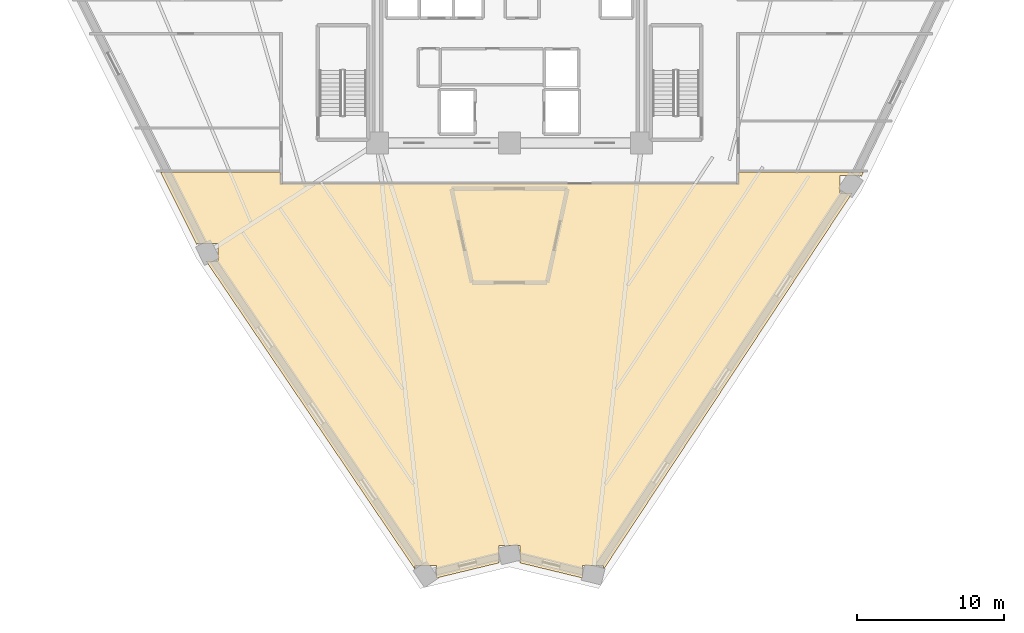
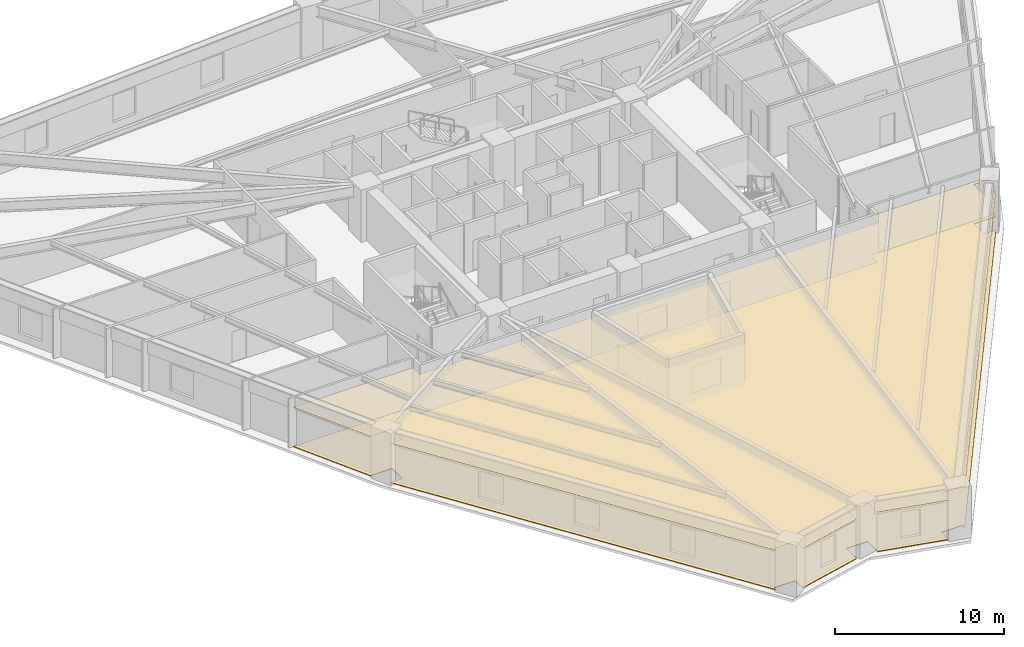
# One storey, part 9 of 10: 2 coverings.
"""IFC4 building model written with IfcOpenShell, lengths in metres."""

import ifcopenshell
import ifcopenshell.guid

model = None  # the IFC model being written
_history = None  # IfcOwnerHistory: only IFC2X3 demands one
_inside = {}  # id of a spatial element -> (the spatial element, [elements in it])
_under = {}  # id of a project, library or spatial element -> (it, [spatial elements below it])
_declared = {}  # id of a project -> (the project, [libraries it declares])
_typed = {}  # id of a type object -> (the type object, [elements of that type])
_made_of = {}  # id of a material, layer set ... -> (it, [elements and type objects made of it])


def new_model(schema):
    """Start an empty IFC model of exactly this schema.

    Asked for "IFC4X3", IfcOpenShell would pick the latest addendum, in which some entities
    have other attributes; the version numbers below select the first issue.
    IFC2X3 requires an IfcOwnerHistory on every rooted entity: one is made here for all.
    """
    global model, _history
    if schema == "IFC4X3":
        model = ifcopenshell.file(schema_version=(4, 3, 0, 0))
    else:
        model = ifcopenshell.file(schema=schema)
    _inside.clear()
    _under.clear()
    _declared.clear()
    _typed.clear()
    _made_of.clear()
    _history = None
    if model.schema == "IFC2X3":
        org = make("IfcOrganization", Name="unknown")
        user = make(
            "IfcPersonAndOrganization",
            ThePerson=make("IfcPerson", FamilyName="unknown"),
            TheOrganization=org,
        )
        app = make(
            "IfcApplication",
            ApplicationDeveloper=org,
            Version="unknown",
            ApplicationFullName="unknown",
            ApplicationIdentifier="unknown",
        )
        _history = make(
            "IfcOwnerHistory",
            OwningUser=user,
            OwningApplication=app,
            ChangeAction="ADDED",
            CreationDate=0,
        )
    return model


def make(cls, **values):
    """One entity of the class cls with the attributes given. An attribute that is None is left unset."""
    return model.create_entity(
        cls, **{name: value for name, value in values.items() if value is not None}
    )


def rooted(cls, **values):
    """An entity with a GlobalId (a new one), such as an element, a storey or a relation."""
    return make(cls, GlobalId=ifcopenshell.guid.new(), OwnerHistory=_history, **values)


def si_unit(unit_type, name, prefix=None):
    """IfcSIUnit, for example si_unit("LENGTHUNIT", "METRE", prefix="MILLI")."""
    return make("IfcSIUnit", UnitType=unit_type, Prefix=prefix, Name=name)


def assignment(units):
    """IfcUnitAssignment: the units of a project."""
    return None if units is None else make("IfcUnitAssignment", Units=units)


def point(xyz):
    """IfcCartesianPoint."""
    return None if xyz is None else make("IfcCartesianPoint", Coordinates=xyz)


def direction(xyz):
    """IfcDirection."""
    return None if xyz is None else make("IfcDirection", DirectionRatios=xyz)


def frame(location, z_axis=None, x_axis=None):
    """IfcAxis2Placement3D, a coordinate frame: its origin and axes. An axis left out is left unset."""
    return make(
        "IfcAxis2Placement3D",
        Location=point(location),
        Axis=direction(z_axis),
        RefDirection=direction(x_axis),
    )


def origin():
    """The frame at (0, 0, 0) with its axes left unset."""
    return frame((0.0, 0.0, 0.0))


def place(relative_to, where):
    """IfcLocalPlacement: puts the frame where relative to a parent placement (None: the world)."""
    return make(
        "IfcLocalPlacement", PlacementRelTo=relative_to, RelativePlacement=where
    )


def context(
    kind, dimensions, precision=None, world=None, true_north=None, identifier=None
):
    """IfcGeometricRepresentationContext, for example the 3D "Model" context."""
    return make(
        "IfcGeometricRepresentationContext",
        ContextIdentifier=identifier,
        ContextType=kind,
        CoordinateSpaceDimension=dimensions,
        Precision=precision,
        WorldCoordinateSystem=world,
        TrueNorth=true_north,
    )


def subcontext(parent, identifier, kind, view, scale=None):
    """IfcGeometricRepresentationSubContext, for example "Body" below "Model"."""
    return make(
        "IfcGeometricRepresentationSubContext",
        ContextIdentifier=identifier,
        ContextType=kind,
        ParentContext=parent,
        TargetScale=scale,
        TargetView=view,
    )


def project(units=None, contexts=None):
    """IfcProject with its units and contexts."""
    return rooted(
        "IfcProject",
        Name="project",
        RepresentationContexts=contexts,
        UnitsInContext=assignment(units),
    )


def spatial(cls, under=None, at=None, **own):
    """A site, building, storey or space (cls), placed at a placement, below another one or the project."""
    s = rooted(cls, ObjectPlacement=at, **own)
    if under is not None:
        _under.setdefault(under.id(), (under, []))[1].append(s)
    return s


def polyline(points):
    """IfcPolyline through the points."""
    return make("IfcPolyline", Points=[point(p) for p in points])


def outline(outer, holes=None, kind="AREA"):
    """IfcArbitraryClosedProfileDef: a profile drawn as a closed curve; with holes, ...WithVoids."""
    if holes is None:
        return make("IfcArbitraryClosedProfileDef", ProfileType=kind, OuterCurve=outer)
    return make(
        "IfcArbitraryProfileDefWithVoids",
        ProfileType=kind,
        OuterCurve=outer,
        InnerCurves=holes,
    )


def extrude(swept, where, along, depth):
    """IfcExtrudedAreaSolid: the profile swept, set in the frame where, extruded along a direction by depth."""
    return make(
        "IfcExtrudedAreaSolid",
        SweptArea=swept,
        Position=where,
        ExtrudedDirection=direction(along),
        Depth=depth,
    )


def shape(context_of_items, identifier, shape_type, items):
    """IfcShapeRepresentation: the items that make up one representation, for example the "Body"."""
    return make(
        "IfcShapeRepresentation",
        ContextOfItems=context_of_items,
        RepresentationIdentifier=identifier,
        RepresentationType=shape_type,
        Items=items,
    )


def material(Name=None, Category=None):
    """IfcMaterial."""
    return make("IfcMaterial", Name=Name, Category=Category)


def layer(
    of_material, thickness, ventilated=None, Name=None, Category=None, Priority=None
):
    """IfcMaterialLayer: one layer of a wall or slab, of a material (None: an air gap)."""
    return make(
        "IfcMaterialLayer",
        Material=of_material,
        LayerThickness=thickness,
        IsVentilated=ventilated,
        Name=Name,
        Category=Category,
        Priority=Priority,
    )


def layer_set(layers, Name=None):
    """IfcMaterialLayerSet."""
    return make("IfcMaterialLayerSet", MaterialLayers=layers, LayerSetName=Name)


def made_of(thing, what):
    """Note that an element or type object is made of a material, layer set ...; save() writes the relation."""
    if what is not None:
        _made_of.setdefault(what.id(), (what, []))[1].append(thing)
    return thing


def type_object(cls, material=None, **own):
    """A type object (cls), such as IfcWallType, which elements share."""
    return made_of(rooted(cls, **own), material)


def element(
    cls,
    number,
    at=None,
    inside=None,
    cuts=None,
    type_object=None,
    material=None,
    context=None,
    identifier="Body",
    shape_type=None,
    held_by="IfcProductDefinitionShape",
    body=None,
    shapes=None,
    **own,
):
    """One element of the class cls, such as IfcWall. Its Tag is "e" and its number.

    at: its placement. inside: the storey or other place that contains it. cuts: it is an
    opening in that element (IfcRelVoidsElement). A single representation is given by context,
    identifier, shape_type and body (its items); several are given by shapes. held_by: the class
    of the entity that holds the representations. save() writes the other relations.
    """
    e = rooted(cls, Tag="e%d" % number, ObjectPlacement=at, **own)
    if body is not None:
        shapes = [shape(context, identifier, shape_type, body)]
    if shapes is not None:
        e.Representation = make(held_by, Representations=shapes)
    if inside is not None:
        _inside.setdefault(inside.id(), (inside, []))[1].append(e)
    if cuts is not None:
        rooted(
            "IfcRelVoidsElement", RelatingBuildingElement=cuts, RelatedOpeningElement=e
        )
    if type_object is not None:
        _typed.setdefault(type_object.id(), (type_object, []))[1].append(e)
    return made_of(e, material)


def aggregate(whole, parts):
    """IfcRelAggregates: a whole, such as a stair, and the parts it consists of."""
    return rooted("IfcRelAggregates", RelatingObject=whole, RelatedObjects=parts)


def save(model, path):
    """Write the relations noted so far, then the file.

    IfcRelAggregates (storeys below a building ...), IfcRelContainedInSpatialStructure (elements
    in a storey), IfcRelDefinesByType, IfcRelAssociatesMaterial and IfcRelDeclares: one each for
    every whole, place, type object, material and project.
    """
    for whole, parts in _under.values():
        aggregate(whole, parts)
    for where, things in _inside.values():
        rooted(
            "IfcRelContainedInSpatialStructure",
            RelatedElements=things,
            RelatingStructure=where,
        )
    for kind, things in _typed.values():
        rooted("IfcRelDefinesByType", RelatedObjects=things, RelatingType=kind)
    for what, things in _made_of.values():
        rooted("IfcRelAssociatesMaterial", RelatedObjects=things, RelatingMaterial=what)
    for by, libraries in _declared.values():
        rooted("IfcRelDeclares", RelatingContext=by, RelatedDefinitions=libraries)
    model.write(path)


model = new_model("IFC4")

# Units and contexts
model_context = context("Model", 3, precision=1e-05, world=origin(), true_north=direction((0.0, 1.0)))
body_context = subcontext(model_context, "Body", "Model", "MODEL_VIEW")
ifc_project = project(units=[si_unit("LENGTHUNIT", "METRE"), si_unit("AREAUNIT", "SQUARE_METRE"), si_unit("VOLUMEUNIT", "CUBIC_METRE"), si_unit("PLANEANGLEUNIT", "RADIAN"), si_unit("MASSUNIT", "GRAM", prefix="KILO")], contexts=[model_context])

# Site, building, storey
site_placement = place(None, origin())
site = spatial("IfcSite", under=ifc_project, at=site_placement, CompositionType="ELEMENT")
building_placement = place(site_placement, origin())
building = spatial("IfcBuilding", under=site, at=building_placement, Name="Liaohun Quay Tower", CompositionType="ELEMENT")
storey_placement = place(building_placement, frame((0.0, 0.0, 166.5)))
storey = spatial("IfcBuildingStorey", under=building, at=storey_placement, Name="L43", CompositionType="ELEMENT", Elevation=166.5)

# Coverings
ifc_material_1 = material(Name="Mineral-fibre acoustic ceiling tile")
ifc_layer_1 = layer(ifc_material_1, 0.02490234375, Name="Mineral-fibre acoustic ceiling tile")
ifc_layer_set_1 = layer_set([ifc_layer_1], Name="Mineral-fibre acoustic ceiling tile")
covering_type_1 = type_object("IfcCoveringType", Name="COV-CEIL-ACT", PredefinedType="CEILING", material=ifc_layer_set_1)
covering_1_placement = place(storey_placement, frame((0.0, 0.0, 2.85009765625)))
element("IfcCovering", 1, at=covering_1_placement, inside=storey, type_object=covering_type_1, Name="L43 Corporate Exhibition Gallery 08 Acoustic Ceiling", PredefinedType="CEILING", context=body_context, shape_type="SweptSolid", body=[
    extrude(outline(polyline([(36.243896484375, 44.52490234375), (38.719970703125, 39.569091796875), (38.719970703125, 39.639892578125), (40.159912109375, 39.639892578125), (40.159912109375, 38.449951171875), (39.347900390625, 38.449951171875), (53.580078125, 17.452880859375), (53.580078125, 17.717041015625), (55.02001953125, 17.717041015625), (55.02001953125, 16.8740234375), (59.281005859375, 17.903076171875), (59.280029296875, 19.093017578125), (60.719970703125, 19.093017578125), (60.718994140625, 17.903076171875), (64.972900390625, 16.875), (64.972900390625, 17.718017578125), (66.4130859375, 17.718017578125), (66.4130859375, 17.469970703125), (83.330078125, 43.076904296875), (82.511962890625, 43.076904296875), (82.511962890625, 44.26708984375), (83.951904296875, 44.26708984375), (83.951904296875, 44.217041015625), (84.10107421875, 44.52490234375), (75.580078125, 44.52490234375), (75.580078125, 43.719970703125), (44.419921875, 43.719970703125), (44.419921875, 44.52490234375), (36.243896484375, 44.52490234375)])), origin(), (0.0, 0.0, 1.0), 0.02490234375),
])
ifc_material_2 = material(Name="Calcium-sulphate raised access floor tile")
ifc_layer_2 = layer(ifc_material_2, 0.044921875, Name="Calcium-sulphate raised access floor tile")
ifc_layer_set_2 = layer_set([ifc_layer_2], Name="Calcium-sulphate raised access floor tile")
covering_type_2 = type_object("IfcCoveringType", Name="COV-FLR-RAF", PredefinedType="FLOORING", material=ifc_layer_set_2)
covering_2_placement = place(storey_placement, origin())
element("IfcCovering", 2, at=covering_2_placement, inside=storey, type_object=covering_type_2, Name="L43 Corporate Exhibition Gallery 08 Floor Finish", PredefinedType="FLOORING", context=body_context, shape_type="SweptSolid", body=[
    extrude(outline(polyline([(36.243896484375, 44.52490234375), (38.719970703125, 39.569091796875), (38.719970703125, 39.639892578125), (40.159912109375, 39.639892578125), (40.159912109375, 38.449951171875), (39.347900390625, 38.449951171875), (53.580078125, 17.452880859375), (53.580078125, 17.717041015625), (55.02001953125, 17.717041015625), (55.02001953125, 16.8740234375), (59.281005859375, 17.903076171875), (59.280029296875, 19.093017578125), (60.719970703125, 19.093017578125), (60.718994140625, 17.903076171875), (64.972900390625, 16.875), (64.972900390625, 17.718017578125), (66.4130859375, 17.718017578125), (66.4130859375, 17.469970703125), (83.330078125, 43.076904296875), (82.511962890625, 43.076904296875), (82.511962890625, 44.26708984375), (83.951904296875, 44.26708984375), (83.951904296875, 44.217041015625), (84.10107421875, 44.52490234375), (75.580078125, 44.52490234375), (75.580078125, 43.719970703125), (44.419921875, 43.719970703125), (44.419921875, 44.52490234375), (36.243896484375, 44.52490234375)])), origin(), (0.0, 0.0, 1.0), 0.044921875),
])

save(model, "model.ifc")
